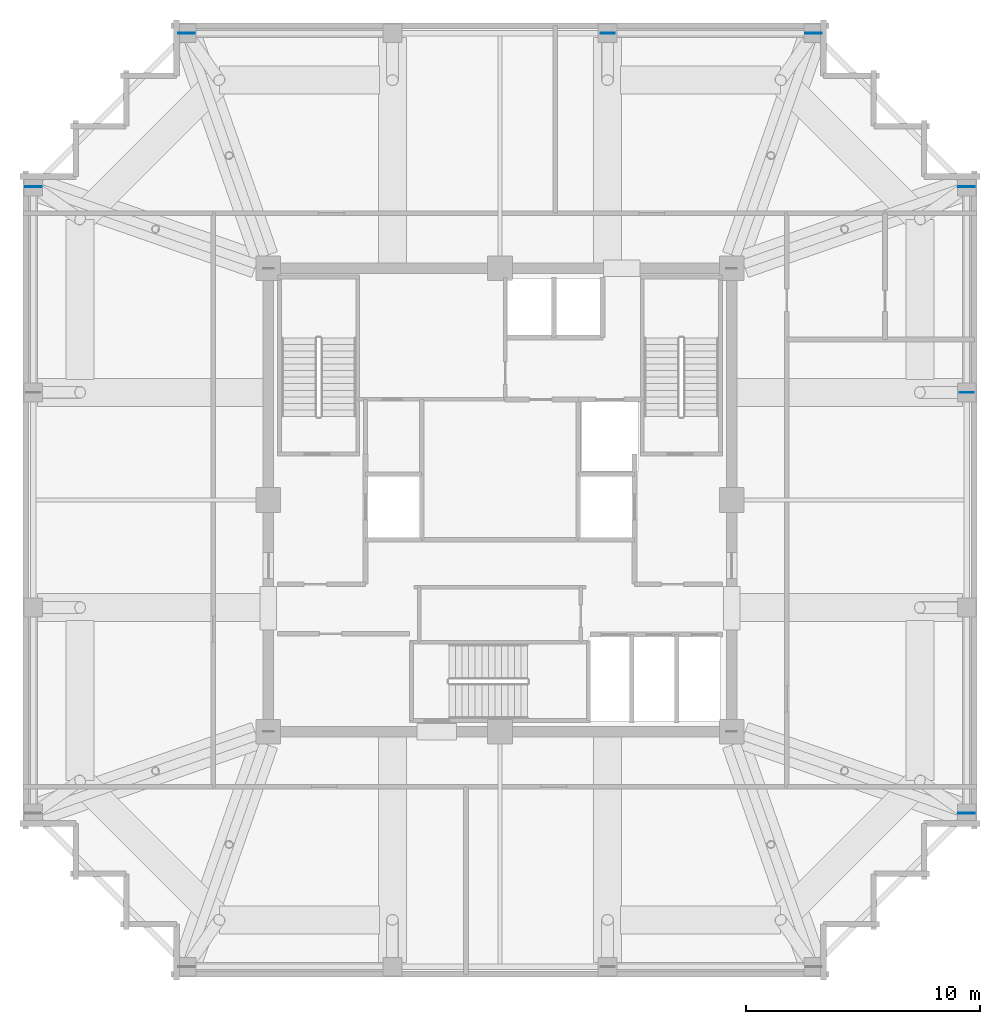
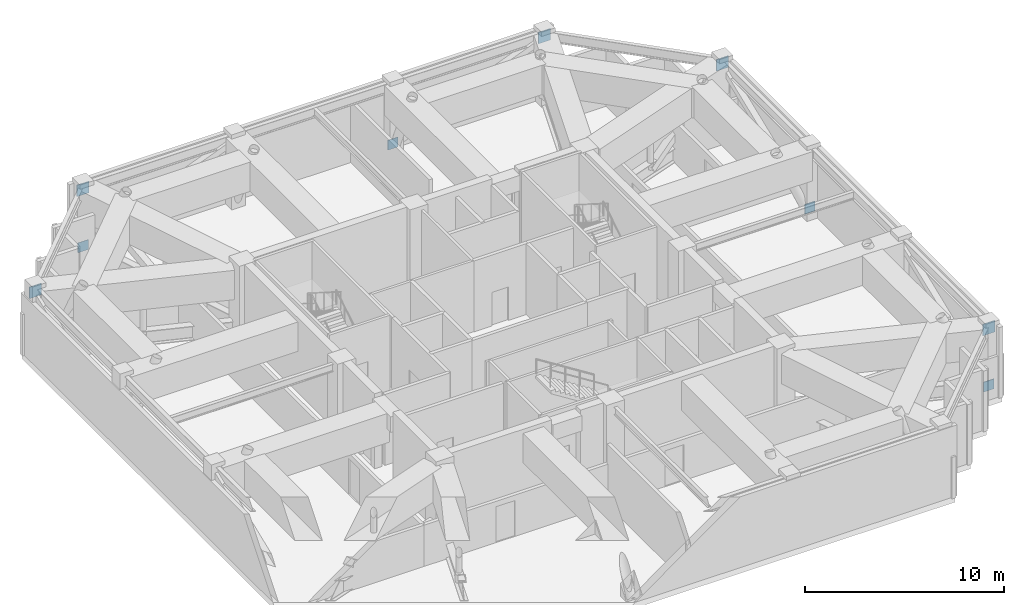
# One storey, part 10 of 14: 9 plates.
"""IFC4 building model written with IfcOpenShell, lengths in metres."""

from ifc_helpers import new_model, si_unit, direction, frame, origin, origin_2d, place, context, subcontext, project, spatial, rectangle, extrude, material, layer, layer_set, type_object, element, save


model = new_model("IFC4")

# Units and contexts
model_context = context("Model", 3, precision=1e-05, world=origin(), true_north=direction((0.0, 1.0)))
body_context = subcontext(model_context, "Body", "Model", "MODEL_VIEW")
ifc_project = project(units=[si_unit("LENGTHUNIT", "METRE"), si_unit("AREAUNIT", "SQUARE_METRE"), si_unit("VOLUMEUNIT", "CUBIC_METRE"), si_unit("PLANEANGLEUNIT", "RADIAN"), si_unit("MASSUNIT", "GRAM", prefix="KILO")], contexts=[model_context])

# Site, building, storey
site_placement = place(None, origin())
site = spatial("IfcSite", under=ifc_project, at=site_placement, CompositionType="ELEMENT")
building_placement = place(site_placement, origin())
building = spatial("IfcBuilding", under=site, at=building_placement, Name="Kolvaren Belvedere", CompositionType="ELEMENT")
storey_placement = place(building_placement, frame((0.0, 0.0, 232.800048828125)))
storey = spatial("IfcBuildingStorey", under=building, at=storey_placement, Name="L68", CompositionType="ELEMENT", Elevation=232.800048828125)

# Plates
ifc_material_1 = material(Name="Structural steel ASTM A572 Grade 50", Category="steel")
ifc_layer_1 = layer(ifc_material_1, 0.031982421875)
ifc_layer_set_1 = layer_set([ifc_layer_1], Name="Structural steel ASTM A572 Grade 50")
plate_type_1 = type_object("IfcPlateType", Name="PL-GUSSET-32", PredefinedType="USERDEFINED", material=ifc_layer_set_1)
for number, where, z_axis, x_axis, name in (
    (1, (-13.39990234375, 19.949951171875, 0.179931640625), (0.0, 0.0, 1.0), (1.0, 0.0, 0.0), "L68 Belt Truss Node Gusset BN-3"),
    (2, (4.60009765625, 19.949951171875, 0.179931640625), (0.0, 0.0, 1.0), (1.0, 0.0, 0.0), "L68 Belt Truss Node Gusset BN-4"),
    (3, (19.949951171875, -13.39990234375, 0.179931640625), (0.0, 0.0, 1.0), (1.0, 0.0, 0.0), "L68 Belt Truss Node Gusset BN-7"),
    (4, (19.949951171875, 4.60009765625, 0.179931640625), (0.0, 0.0, 1.0), (1.0, 0.0, 0.0), "L68 Belt Truss Node Gusset BN-8"),
):
    element("IfcPlate", number, at=place(storey_placement, frame(where, z_axis=z_axis, x_axis=x_axis)), inside=storey, type_object=plate_type_1, Name=name, ObjectType="GUSSET PLATE", PredefinedType="USERDEFINED", context=body_context, shape_type="SweptSolid", body=[
        extrude(rectangle(XDim=0.60009765625, YDim=0.031982421875, at=origin_2d()), origin(), (0.0, 0.0, 1.0), 0.60009765625),
    ])
ifc_material_2 = material(Name="Structural steel ASTM A572 Grade 50", Category="steel")
ifc_layer_2 = layer(ifc_material_2, 0.0400390625)
ifc_layer_set_2 = layer_set([ifc_layer_2], Name="Structural steel ASTM A572 Grade 50")
plate_type_2 = type_object("IfcPlateType", Name="PL-GUSSET-40", PredefinedType="USERDEFINED", material=ifc_layer_set_2)
for number, where, z_axis, x_axis, name in (
    (5, (19.949951171875, -13.39990234375, 3.64990234375), (0.0, 0.0, 1.0), (1.0, 0.0, 0.0), "L68 Outrigger Truss Node Gusset ON-4"),
    (6, (13.39990234375, 19.949951171875, 3.64990234375), (0.0, 0.0, 1.0), (1.0, 0.0, 0.0), "L68 Outrigger Truss Node Gusset ON-5"),
    (7, (19.949951171875, 13.39990234375, 3.64990234375), (0.0, 0.0, 1.0), (1.0, 0.0, 0.0), "L68 Outrigger Truss Node Gusset ON-6"),
    (8, (-13.39990234375, 19.949951171875, 3.64990234375), (0.0, 0.0, 1.0), (1.0, 0.0, 0.0), "L68 Outrigger Truss Node Gusset ON-7"),
    (9, (-19.949951171875, 13.39990234375, 3.64990234375), (0.0, 0.0, 1.0), (1.0, 0.0, 0.0), "L68 Outrigger Truss Node Gusset ON-8"),
):
    element("IfcPlate", number, at=place(storey_placement, frame(where, z_axis=z_axis, x_axis=x_axis)), inside=storey, type_object=plate_type_2, Name=name, ObjectType="GUSSET PLATE", PredefinedType="USERDEFINED", context=body_context, shape_type="SweptSolid", body=[
        extrude(rectangle(XDim=0.699951171875, YDim=0.0400390625, at=origin_2d()), origin(), (0.0, 0.0, 1.0), 0.699951171875),
    ])

save(model, "model.ifc")
